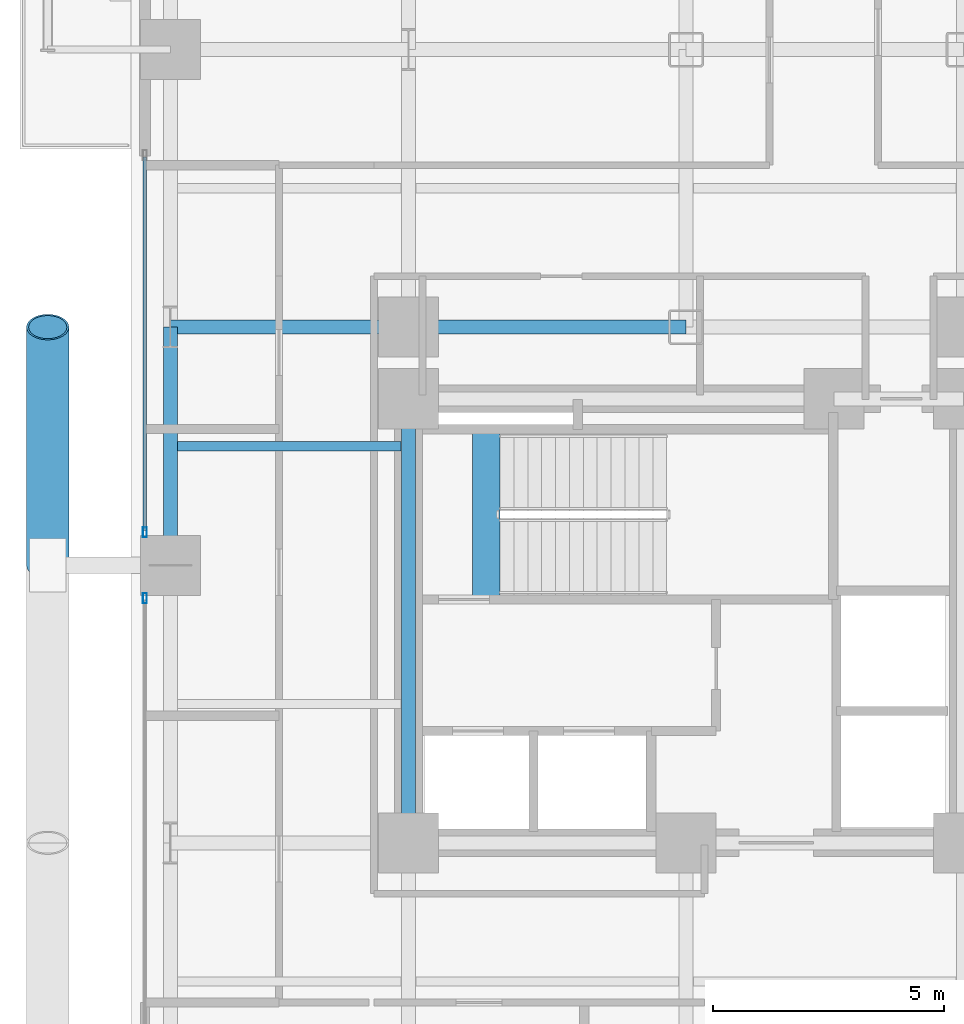
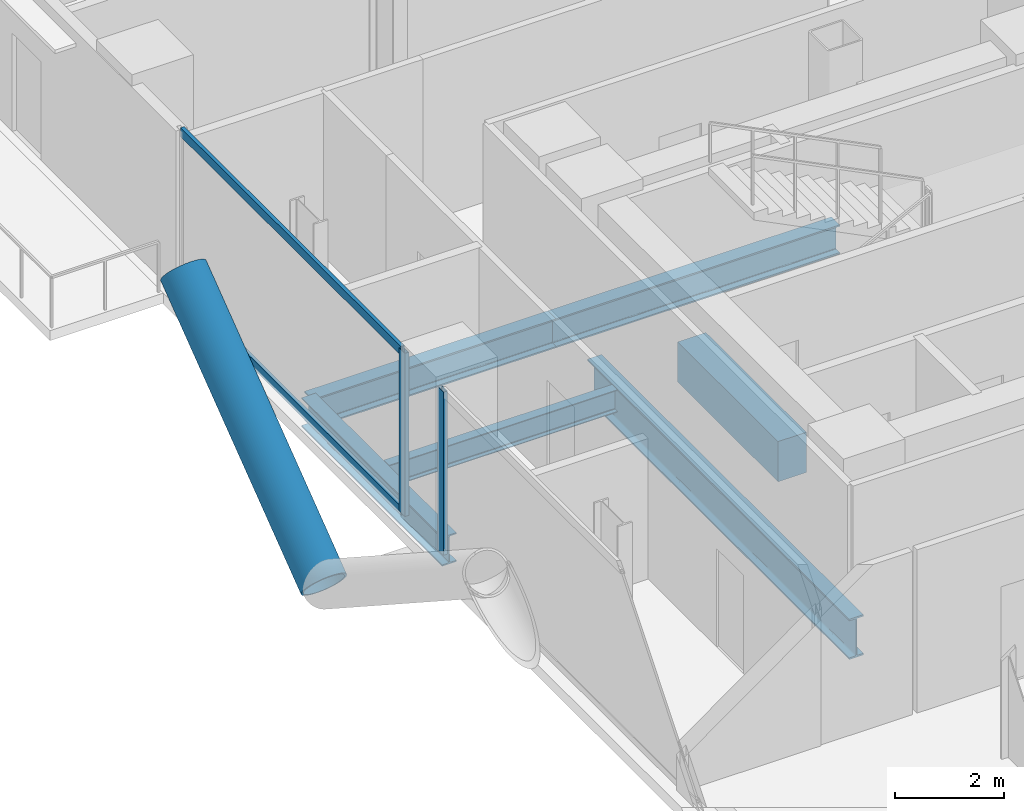
# One storey, part 5 of 27: 6 beams, 5 members, 2 elements without a shape of their own.
"""IFC4 building model written with IfcOpenShell, lengths in metres."""

from ifc_helpers import new_model, si_unit, direction, frame, origin, origin_2d, place, context, subcontext, project, spatial, rectangle, hollow_rectangle, hollow_circle, i_section, extrude, material, layer, layer_set, material_profile, profile_set, type_object, element, aggregate, save


model = new_model("IFC4")

# Units and contexts
model_context = context("Model", 3, precision=1e-05, world=origin(), true_north=direction((0.0, 1.0)))
body_context = subcontext(model_context, "Body", "Model", "MODEL_VIEW")
ifc_project = project(units=[si_unit("LENGTHUNIT", "METRE"), si_unit("AREAUNIT", "SQUARE_METRE"), si_unit("VOLUMEUNIT", "CUBIC_METRE"), si_unit("PLANEANGLEUNIT", "RADIAN"), si_unit("MASSUNIT", "GRAM", prefix="KILO"), si_unit("THERMODYNAMICTEMPERATUREUNIT", "KELVIN"), si_unit("POWERUNIT", "WATT")], contexts=[model_context])

# Site, building, storey
site_placement = place(None, origin())
site = spatial("IfcSite", under=ifc_project, at=site_placement, CompositionType="ELEMENT")
building_placement = place(site_placement, origin())
building = spatial("IfcBuilding", under=site, at=building_placement, Name="Svarakhadi Broadcast Tower", CompositionType="ELEMENT")
storey_placement = place(building_placement, frame((0.0, 0.0, 75.300048828125)))
storey = spatial("IfcBuildingStorey", under=building, at=storey_placement, Name="L17", CompositionType="ELEMENT", Elevation=75.300048828125)

# Beam
ifc_material_1 = material(Name="Steel S355J2 (IS 2062 E350C)", Category="steel")
ifc_material_profile_1 = material_profile(ifc_material_1, i_section(OverallWidth=0.199951171875, OverallDepth=0.5, WebThickness=0.01025390625, FlangeThickness=0.01611328125, FilletRadius=0.02099609375, at=origin_2d()), Name="NPB 500x200x91")
ifc_profile_set_1 = profile_set([ifc_material_profile_1], Name="Steel S355J2 (IS 2062 E350C)")
beam_type_1 = type_object("IfcBeamType", Name="Beam_NPB500", PredefinedType="BEAM", material=ifc_profile_set_1)
beam_1_placement = place(storey_placement, frame((1.010009765625, 26.574951171875, -0.5), z_axis=(1.0, 0.0, 0.0), x_axis=(0.0, 1.0, 0.0)))
element("IfcBeam", 1, at=beam_1_placement, inside=storey, type_object=beam_type_1, Name="L17 Secondary Composite Beam SB004", PredefinedType="BEAM", context=body_context, shape_type="SweptSolid", body=[
    extrude(i_section(OverallWidth=0.199951171875, OverallDepth=0.5, WebThickness=0.01025390625, FlangeThickness=0.01611328125, FilletRadius=0.02099609375, at=origin_2d()), origin(), (0.0, 0.0, 1.0), 4.830078125),
])

# Curtain wall, member
ifc_material_2 = material(Name="Anodised Bronze Aluminium AA 6063-T6", Category="aluminium")
ifc_layer = layer(ifc_material_2, 0.219970703125)
ifc_layer_set = layer_set([ifc_layer], Name="Anodised Bronze Aluminium AA 6063-T6")
curtain_wall_type = type_object("IfcCurtainWallType", Name="CW_Sys_02", PredefinedType="NOTDEFINED", material=ifc_layer_set)
curtain_wall_1_placement = place(storey_placement, origin())
curtain_wall_1 = element("IfcCurtainWall", 2, at=curtain_wall_1_placement, inside=storey, type_object=curtain_wall_type, Name="L17 West Curtain Wall 02 Bay 2", PredefinedType="NOTDEFINED")
ifc_material_profile_2 = material_profile(ifc_material_2, hollow_rectangle(XDim=0.0849609375, YDim=0.219970703125, WallThickness=0.006103515625, at=origin_2d()), Name="ALU MULLION 220x85x6")
ifc_profile_set_2 = profile_set([ifc_material_profile_2], Name="Anodised Bronze Aluminium AA 6063-T6")
member_type_1 = type_object("IfcMemberType", Name="CW_Sys_02_Mul", PredefinedType="MULLION", material=ifc_profile_set_2)
member_1_placement = place(storey_placement, frame((0.300048828125, 23.28759765625, 0.0), z_axis=(0.0, 0.0, 1.0), x_axis=(-1.0, 0.0, 0.0)))
member_1 = element("IfcMember", 3, at=member_1_placement, type_object=member_type_1, Name="CW-02 mullion 2", PredefinedType="MULLION", context=body_context, shape_type="SweptSolid", body=[
    extrude(hollow_rectangle(XDim=0.0849609375, YDim=0.219970703125, WallThickness=0.006103515625, at=origin_2d()), origin(), (0.0, 0.0, 1.0), 3.64990234375),
])
aggregate(curtain_wall_1, [member_1])

# Curtain wall, members
curtain_wall_2_placement = place(storey_placement, origin())
curtain_wall_2 = element("IfcCurtainWall", 4, at=curtain_wall_2_placement, inside=storey, type_object=curtain_wall_type, Name="L17 West Curtain Wall 02 Bay 3", PredefinedType="NOTDEFINED")
member_2_placement = place(storey_placement, frame((0.300048828125, 24.71240234375, 0.0), z_axis=(0.0, 0.0, 1.0), x_axis=(-1.0, 0.0, 0.0)))
member_2 = element("IfcMember", 5, at=member_2_placement, type_object=member_type_1, Name="CW-02 mullion 1", PredefinedType="MULLION", context=body_context, shape_type="SweptSolid", body=[
    extrude(hollow_rectangle(XDim=0.0849609375, YDim=0.219970703125, WallThickness=0.006103515625, at=origin_2d()), origin(), (0.0, 0.0, 1.0), 3.64990234375),
])
ifc_material_profile_3 = material_profile(ifc_material_2, hollow_rectangle(XDim=0.074951171875, YDim=0.199951171875, WallThickness=0.0048828125, at=origin_2d()), Name="ALU TRANSOM 200x75x5")
ifc_profile_set_3 = profile_set([ifc_material_profile_3], Name="Anodised Bronze Aluminium AA 6063-T6")
member_type_2 = type_object("IfcMemberType", Name="CW_Sys_02_Trn", PredefinedType="USERDEFINED", material=ifc_profile_set_3)
member_3_placement = place(storey_placement, frame((0.300048828125, 24.7548828125, 0.037353515625), z_axis=(0.0, 1.0, 0.0), x_axis=(-1.0, 0.0, 0.0)))
member_3 = element("IfcMember", 6, at=member_3_placement, type_object=member_type_2, Name="CW-02 transom 1.1", ObjectType="TRANSOM", PredefinedType="USERDEFINED", context=body_context, shape_type="SweptSolid", body=[
    extrude(hollow_rectangle(XDim=0.074951171875, YDim=0.199951171875, WallThickness=0.0048828125, at=origin_2d()), origin(), (0.0, 0.0, 1.0), 8.070068359375),
])
member_4_placement = place(storey_placement, frame((0.300048828125, 24.7548828125, 3.612548828125), z_axis=(0.0, 1.0, 0.0), x_axis=(-1.0, 0.0, 0.0)))
member_4 = element("IfcMember", 7, at=member_4_placement, type_object=member_type_2, Name="CW-02 transom 1.2", ObjectType="TRANSOM", PredefinedType="USERDEFINED", context=body_context, shape_type="SweptSolid", body=[
    extrude(hollow_rectangle(XDim=0.074951171875, YDim=0.199951171875, WallThickness=0.0048828125, at=origin_2d()), origin(), (0.0, 0.0, 1.0), 8.070068359375),
])
aggregate(curtain_wall_2, [member_2, member_3, member_4])

# Beam
ifc_material_3 = material(Name="Concrete C50/60 (IS 456 M60)", Category="concrete")
ifc_material_profile_4 = material_profile(ifc_material_3, rectangle(XDim=0.60009765625, YDim=0.89990234375, at=origin_2d()), Name="RC 600x900")
ifc_profile_set_4 = profile_set([ifc_material_profile_4], Name="Concrete C50/60 (IS 456 M60)")
beam_type_2 = type_object("IfcBeamType", Name="Coupling_RC600", PredefinedType="USERDEFINED", material=ifc_profile_set_4)
beam_2_placement = place(storey_placement, frame((7.679931640625, 23.260009765625, -0.449951171875), z_axis=(0.0, 1.0, 0.0), x_axis=(-1.0, 0.0, 0.0)))
element("IfcBeam", 8, at=beam_2_placement, inside=storey, type_object=beam_type_2, Name="L17 Stair ST-01 Landing Throat Trimmer Beam CB-01", ObjectType="GIRDER", PredefinedType="USERDEFINED", context=body_context, shape_type="SweptSolid", body=[
    extrude(rectangle(XDim=0.60009765625, YDim=0.89990234375, at=origin_2d()), origin(), (0.0, 0.0, 1.0), 3.679931640625),
])

# Member
ifc_material_4 = material(Name="Steel S460ML (IS 2062 E450BR)", Category="steel")
ifc_material_profile_5 = material_profile(ifc_material_4, hollow_circle(Radius=0.45703125, WallThickness=0.044921875, at=origin_2d()), Name="CHS 914x45")
ifc_profile_set_5 = profile_set([ifc_material_profile_5], Name="Steel S460ML (IS 2062 E450BR)")
member_type_3 = type_object("IfcMemberType", Name="Exo_Brace_CHS914", PredefinedType="BRACE", material=ifc_profile_set_5)
member_5_placement = place(storey_placement, frame((-1.800048828125, 24.0, -0.427734375), z_axis=(0.0, 0.797206791841, 0.603706328476), x_axis=(-1.0, 0.0, 0.0)))
element("IfcMember", 9, at=member_5_placement, inside=storey, type_object=member_type_3, Name="L17 Exposed Bronze Exoskeleton Diagonal W09", PredefinedType="BRACE", context=body_context, shape_type="SweptSolid", body=[
    extrude(hollow_circle(Radius=0.45703125, WallThickness=0.044921875, at=origin_2d()), origin(), (0.0, 0.0, 1.0), 6.4599609375),
])

# Beams
ifc_material_profile_6 = material_profile(ifc_material_1, i_section(OverallWidth=0.300048828125, OverallDepth=0.64990234375, WebThickness=0.01611328125, FlangeThickness=0.031005859375, FilletRadius=0.027099609375, at=origin_2d()), Name="WPB 650x300x225")
ifc_profile_set_6 = profile_set([ifc_material_profile_6], Name="Steel S355J2 (IS 2062 E350C)")
beam_type_3 = type_object("IfcBeamType", Name="Girder_WPB650", PredefinedType="USERDEFINED", material=ifc_profile_set_6)
beam_3_placement = place(storey_placement, frame((0.85009765625, 29.14990234375, -0.574951171875), z_axis=(1.0, 0.0, 0.0), x_axis=(0.0, 1.0, 0.0)))
element("IfcBeam", 10, at=beam_3_placement, inside=storey, type_object=beam_type_3, Name="L17 Primary E-W Girder G034", ObjectType="GIRDER", PredefinedType="USERDEFINED", context=body_context, shape_type="SweptSolid", body=[
    extrude(i_section(OverallWidth=0.300048828125, OverallDepth=0.64990234375, WebThickness=0.01611328125, FlangeThickness=0.031005859375, FilletRadius=0.027099609375, at=origin_2d()), origin(), (0.0, 0.0, 1.0), 5.14990234375),
])
beam_4_placement = place(storey_placement, frame((6.0, 29.14990234375, -0.574951171875), z_axis=(1.0, 0.0, 0.0), x_axis=(0.0, 1.0, 0.0)))
element("IfcBeam", 11, at=beam_4_placement, inside=storey, type_object=beam_type_3, Name="L17 Primary E-W Girder G035", ObjectType="GIRDER", PredefinedType="USERDEFINED", context=body_context, shape_type="SweptSolid", body=[
    extrude(i_section(OverallWidth=0.300048828125, OverallDepth=0.64990234375, WebThickness=0.01611328125, FlangeThickness=0.031005859375, FilletRadius=0.027099609375, at=origin_2d()), origin(), (0.0, 0.0, 1.0), 6.0),
])
beam_5_placement = place(storey_placement, frame((0.85009765625, 24.0, -0.574951171875), z_axis=(0.0, 1.0, 0.0), x_axis=(-1.0, 0.0, 0.0)))
element("IfcBeam", 12, at=beam_5_placement, inside=storey, type_object=beam_type_3, Name="L17 Primary N-S Girder G048", ObjectType="GIRDER", PredefinedType="USERDEFINED", context=body_context, shape_type="SweptSolid", body=[
    extrude(i_section(OverallWidth=0.300048828125, OverallDepth=0.64990234375, WebThickness=0.01611328125, FlangeThickness=0.031005859375, FilletRadius=0.027099609375, at=origin_2d()), origin(), (0.0, 0.0, 1.0), 5.14990234375),
])
ifc_material_profile_7 = material_profile(ifc_material_4, i_section(OverallWidth=0.300048828125, OverallDepth=0.89990234375, WebThickness=0.0185546875, FlangeThickness=0.034912109375, FilletRadius=0.030029296875, at=origin_2d()), Name="WPB 900x300x291")
ifc_profile_set_7 = profile_set([ifc_material_profile_7], Name="Steel S460ML (IS 2062 E450BR)")
beam_type_4 = type_object("IfcBeamType", Name="Girder_WPB900", PredefinedType="USERDEFINED", material=ifc_profile_set_7)
beam_6_placement = place(storey_placement, frame((6.0, 18.0, -0.699951171875), z_axis=(0.0, 1.0, 0.0), x_axis=(-1.0, 0.0, 0.0)))
element("IfcBeam", 13, at=beam_6_placement, inside=storey, type_object=beam_type_4, Name="L17 Primary N-S Girder G054", ObjectType="GIRDER", PredefinedType="USERDEFINED", context=body_context, shape_type="SweptSolid", body=[
    extrude(i_section(OverallWidth=0.300048828125, OverallDepth=0.89990234375, WebThickness=0.0185546875, FlangeThickness=0.034912109375, FilletRadius=0.030029296875, at=origin_2d()), origin(), (0.0, 0.0, 1.0), 9.60009765625),
])

save(model, "model.ifc")
